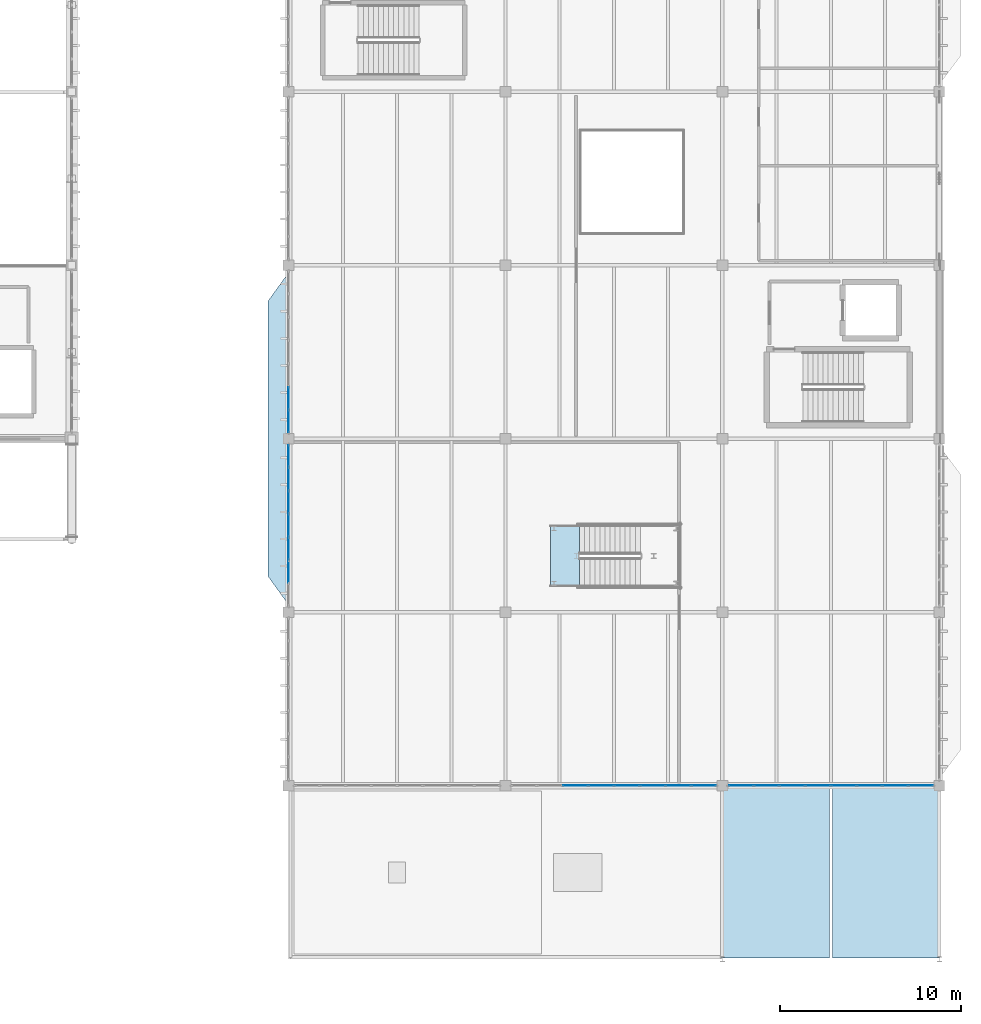
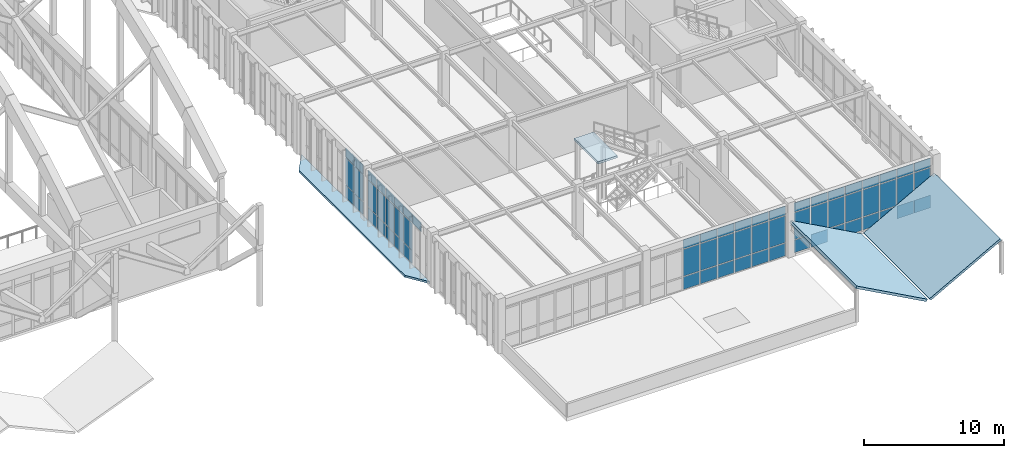
# One storey, part 200 of 236: 64 plates, 4 slabs, 5 elements without a shape of their own.
"""IFC4 building model written with IfcOpenShell, lengths in metres."""

from ifc_helpers import new_model, si_unit, direction, frame, origin, origin_2d, place, context, subcontext, project, spatial, polyline, rectangle, outline, extrude, material, layer, layer_set, type_object, element, aggregate, save


model = new_model("IFC4")

# Units and contexts
model_context = context("Model", 3, precision=1e-05, world=origin(), true_north=direction((0.0, 1.0)))
body_context = subcontext(model_context, "Body", "Model", "MODEL_VIEW")
ifc_project = project(units=[si_unit("LENGTHUNIT", "METRE"), si_unit("AREAUNIT", "SQUARE_METRE"), si_unit("VOLUMEUNIT", "CUBIC_METRE"), si_unit("PLANEANGLEUNIT", "RADIAN"), si_unit("MASSUNIT", "GRAM", prefix="KILO")], contexts=[model_context])

# Site, building, storey
site_placement = place(None, origin())
site = spatial("IfcSite", under=ifc_project, at=site_placement, CompositionType="ELEMENT")
building_placement = place(site_placement, origin())
building = spatial("IfcBuilding", under=site, at=building_placement, Name="Pandanus Reach Market Hall", CompositionType="ELEMENT")
storey_placement = place(building_placement, frame((0.0, 0.0, 5.39990234375)))
storey = spatial("IfcBuildingStorey", under=building, at=storey_placement, Name="L01", CompositionType="ELEMENT", Elevation=5.39990234375)

# Curtain wall, plates
ifc_material_1 = material(Name="Bronze anodised aluminium and low-E glass", Category="aluminium")
ifc_layer_1 = layer(ifc_material_1, 0.159912109375, Name="CW-27")
ifc_layer_set_1 = layer_set([ifc_layer_1], Name="Bronze anodised aluminium and low-E glass")
curtain_wall_type_1 = type_object("IfcCurtainWallType", Name="CW-27", PredefinedType="NOTDEFINED", material=ifc_layer_set_1)
curtain_wall_1_placement = place(storey_placement, origin())
curtain_wall_1 = element("IfcCurtainWall", 1, at=curtain_wall_1_placement, inside=storey, type_object=curtain_wall_type_1, Name="Glazed curtain wall CW-27 CW-0083", PredefinedType="NOTDEFINED")
ifc_material_2 = material(Name="Solar-control double glazing", Category="glass")
ifc_layer_2 = layer(ifc_material_2, 0.028076171875, Name="CW-P1")
ifc_layer_set_2 = layer_set([ifc_layer_2], Name="Solar-control double glazing")
plate_type = type_object("IfcPlateType", Name="CW-P1", PredefinedType="CURTAIN_PANEL", material=ifc_layer_set_2)
plate_1_placement = place(storey_placement, frame((159.862548828125, 9.60009765625, 0.065185546875), z_axis=(0.0, 0.0, 1.0), x_axis=(1.0, 0.0, 0.0)))
plate_1 = element("IfcPlate", 2, at=plate_1_placement, type_object=plate_type, Name="CW-27 panel 3.1", PredefinedType="CURTAIN_PANEL", context=body_context, shape_type="SweptSolid", body=[
    extrude(rectangle(XDim=1.360107421875, YDim=0.028076171875, at=origin_2d()), origin(), (0.0, 0.0, 1.0), 1.1025390625),
])
plate_2_placement = place(storey_placement, frame((159.862548828125, 9.60009765625, 1.232666015625), z_axis=(0.0, 0.0, 1.0), x_axis=(1.0, 0.0, 0.0)))
plate_2 = element("IfcPlate", 3, at=plate_2_placement, type_object=plate_type, Name="CW-27 panel 3.2", PredefinedType="CURTAIN_PANEL", context=body_context, shape_type="SweptSolid", body=[
    extrude(rectangle(XDim=1.360107421875, YDim=0.028076171875, at=origin_2d()), origin(), (0.0, 0.0, 1.0), 2.3349609375),
])
plate_3_placement = place(storey_placement, frame((159.862548828125, 9.60009765625, 3.6328125), z_axis=(0.0, 0.0, 1.0), x_axis=(1.0, 0.0, 0.0)))
plate_3 = element("IfcPlate", 4, at=plate_3_placement, type_object=plate_type, Name="CW-27 panel 3.3", PredefinedType="CURTAIN_PANEL", context=body_context, shape_type="SweptSolid", body=[
    extrude(rectangle(XDim=1.360107421875, YDim=0.028076171875, at=origin_2d()), origin(), (0.0, 0.0, 1.0), 0.802490234375),
])
plate_4_placement = place(storey_placement, frame((161.28759765625, 9.60009765625, 0.065185546875), z_axis=(0.0, 0.0, 1.0), x_axis=(1.0, 0.0, 0.0)))
plate_4 = element("IfcPlate", 5, at=plate_4_placement, type_object=plate_type, Name="CW-27 panel 4.1", PredefinedType="CURTAIN_PANEL", context=body_context, shape_type="SweptSolid", body=[
    extrude(rectangle(XDim=1.360107421875, YDim=0.028076171875, at=origin_2d()), origin(), (0.0, 0.0, 1.0), 1.1025390625),
])
plate_5_placement = place(storey_placement, frame((161.28759765625, 9.60009765625, 1.232666015625), z_axis=(0.0, 0.0, 1.0), x_axis=(1.0, 0.0, 0.0)))
plate_5 = element("IfcPlate", 6, at=plate_5_placement, type_object=plate_type, Name="CW-27 panel 4.2", PredefinedType="CURTAIN_PANEL", context=body_context, shape_type="SweptSolid", body=[
    extrude(rectangle(XDim=1.360107421875, YDim=0.028076171875, at=origin_2d()), origin(), (0.0, 0.0, 1.0), 2.3349609375),
])
plate_6_placement = place(storey_placement, frame((161.28759765625, 9.60009765625, 3.6328125), z_axis=(0.0, 0.0, 1.0), x_axis=(1.0, 0.0, 0.0)))
plate_6 = element("IfcPlate", 7, at=plate_6_placement, type_object=plate_type, Name="CW-27 panel 4.3", PredefinedType="CURTAIN_PANEL", context=body_context, shape_type="SweptSolid", body=[
    extrude(rectangle(XDim=1.360107421875, YDim=0.028076171875, at=origin_2d()), origin(), (0.0, 0.0, 1.0), 0.802490234375),
])
plate_7_placement = place(storey_placement, frame((162.71240234375, 9.60009765625, 0.065185546875), z_axis=(0.0, 0.0, 1.0), x_axis=(1.0, 0.0, 0.0)))
plate_7 = element("IfcPlate", 8, at=plate_7_placement, type_object=plate_type, Name="CW-27 panel 5.1", PredefinedType="CURTAIN_PANEL", context=body_context, shape_type="SweptSolid", body=[
    extrude(rectangle(XDim=1.360107421875, YDim=0.028076171875, at=origin_2d()), origin(), (0.0, 0.0, 1.0), 1.1025390625),
])
plate_8_placement = place(storey_placement, frame((162.71240234375, 9.60009765625, 1.232666015625), z_axis=(0.0, 0.0, 1.0), x_axis=(1.0, 0.0, 0.0)))
plate_8 = element("IfcPlate", 9, at=plate_8_placement, type_object=plate_type, Name="CW-27 panel 5.2", PredefinedType="CURTAIN_PANEL", context=body_context, shape_type="SweptSolid", body=[
    extrude(rectangle(XDim=1.360107421875, YDim=0.028076171875, at=origin_2d()), origin(), (0.0, 0.0, 1.0), 2.3349609375),
])
plate_9_placement = place(storey_placement, frame((162.71240234375, 9.60009765625, 3.6328125), z_axis=(0.0, 0.0, 1.0), x_axis=(1.0, 0.0, 0.0)))
plate_9 = element("IfcPlate", 10, at=plate_9_placement, type_object=plate_type, Name="CW-27 panel 5.3", PredefinedType="CURTAIN_PANEL", context=body_context, shape_type="SweptSolid", body=[
    extrude(rectangle(XDim=1.360107421875, YDim=0.028076171875, at=origin_2d()), origin(), (0.0, 0.0, 1.0), 0.802490234375),
])
plate_10_placement = place(storey_placement, frame((164.137451171875, 9.60009765625, 0.065185546875), z_axis=(0.0, 0.0, 1.0), x_axis=(1.0, 0.0, 0.0)))
plate_10 = element("IfcPlate", 11, at=plate_10_placement, type_object=plate_type, Name="CW-27 panel 6.1", PredefinedType="CURTAIN_PANEL", context=body_context, shape_type="SweptSolid", body=[
    extrude(rectangle(XDim=1.360107421875, YDim=0.028076171875, at=origin_2d()), origin(), (0.0, 0.0, 1.0), 1.1025390625),
])
plate_11_placement = place(storey_placement, frame((164.137451171875, 9.60009765625, 1.232666015625), z_axis=(0.0, 0.0, 1.0), x_axis=(1.0, 0.0, 0.0)))
plate_11 = element("IfcPlate", 12, at=plate_11_placement, type_object=plate_type, Name="CW-27 panel 6.2", PredefinedType="CURTAIN_PANEL", context=body_context, shape_type="SweptSolid", body=[
    extrude(rectangle(XDim=1.360107421875, YDim=0.028076171875, at=origin_2d()), origin(), (0.0, 0.0, 1.0), 2.3349609375),
])
plate_12_placement = place(storey_placement, frame((164.137451171875, 9.60009765625, 3.6328125), z_axis=(0.0, 0.0, 1.0), x_axis=(1.0, 0.0, 0.0)))
plate_12 = element("IfcPlate", 13, at=plate_12_placement, type_object=plate_type, Name="CW-27 panel 6.3", PredefinedType="CURTAIN_PANEL", context=body_context, shape_type="SweptSolid", body=[
    extrude(rectangle(XDim=1.360107421875, YDim=0.028076171875, at=origin_2d()), origin(), (0.0, 0.0, 1.0), 0.802490234375),
])
plate_13_placement = place(storey_placement, frame((165.5625, 9.60009765625, 0.065185546875), z_axis=(0.0, 0.0, 1.0), x_axis=(1.0, 0.0, 0.0)))
plate_13 = element("IfcPlate", 14, at=plate_13_placement, type_object=plate_type, Name="CW-27 panel 7.1", PredefinedType="CURTAIN_PANEL", context=body_context, shape_type="SweptSolid", body=[
    extrude(rectangle(XDim=1.360107421875, YDim=0.028076171875, at=origin_2d()), origin(), (0.0, 0.0, 1.0), 1.1025390625),
])
plate_14_placement = place(storey_placement, frame((165.5625, 9.60009765625, 1.232666015625), z_axis=(0.0, 0.0, 1.0), x_axis=(1.0, 0.0, 0.0)))
plate_14 = element("IfcPlate", 15, at=plate_14_placement, type_object=plate_type, Name="CW-27 panel 7.2", PredefinedType="CURTAIN_PANEL", context=body_context, shape_type="SweptSolid", body=[
    extrude(rectangle(XDim=1.360107421875, YDim=0.028076171875, at=origin_2d()), origin(), (0.0, 0.0, 1.0), 2.3349609375),
])
plate_15_placement = place(storey_placement, frame((165.5625, 9.60009765625, 3.6328125), z_axis=(0.0, 0.0, 1.0), x_axis=(1.0, 0.0, 0.0)))
plate_15 = element("IfcPlate", 16, at=plate_15_placement, type_object=plate_type, Name="CW-27 panel 7.3", PredefinedType="CURTAIN_PANEL", context=body_context, shape_type="SweptSolid", body=[
    extrude(rectangle(XDim=1.360107421875, YDim=0.028076171875, at=origin_2d()), origin(), (0.0, 0.0, 1.0), 0.802490234375),
])
plate_16_placement = place(storey_placement, frame((166.97119140625, 9.60009765625, 0.065185546875), z_axis=(0.0, 0.0, 1.0), x_axis=(1.0, 0.0, 0.0)))
plate_16 = element("IfcPlate", 17, at=plate_16_placement, type_object=plate_type, Name="CW-27 panel 8.1", PredefinedType="CURTAIN_PANEL", context=body_context, shape_type="SweptSolid", body=[
    extrude(rectangle(XDim=1.327392578125, YDim=0.028076171875, at=origin_2d()), origin(), (0.0, 0.0, 1.0), 1.1025390625),
])
plate_17_placement = place(storey_placement, frame((166.97119140625, 9.60009765625, 1.232666015625), z_axis=(0.0, 0.0, 1.0), x_axis=(1.0, 0.0, 0.0)))
plate_17 = element("IfcPlate", 18, at=plate_17_placement, type_object=plate_type, Name="CW-27 panel 8.2", PredefinedType="CURTAIN_PANEL", context=body_context, shape_type="SweptSolid", body=[
    extrude(rectangle(XDim=1.327392578125, YDim=0.028076171875, at=origin_2d()), origin(), (0.0, 0.0, 1.0), 2.3349609375),
])
plate_18_placement = place(storey_placement, frame((166.97119140625, 9.60009765625, 3.6328125), z_axis=(0.0, 0.0, 1.0), x_axis=(1.0, 0.0, 0.0)))
plate_18 = element("IfcPlate", 19, at=plate_18_placement, type_object=plate_type, Name="CW-27 panel 8.3", PredefinedType="CURTAIN_PANEL", context=body_context, shape_type="SweptSolid", body=[
    extrude(rectangle(XDim=1.327392578125, YDim=0.028076171875, at=origin_2d()), origin(), (0.0, 0.0, 1.0), 0.802490234375),
])
aggregate(curtain_wall_1, [plate_1, plate_2, plate_3, plate_4, plate_5, plate_6, plate_7, plate_8, plate_9, plate_10, plate_11, plate_12, plate_13, plate_14, plate_15, plate_16, plate_17, plate_18])

curtain_wall_2_placement = place(storey_placement, origin())
curtain_wall_2 = element("IfcCurtainWall", 20, at=curtain_wall_2_placement, inside=storey, type_object=curtain_wall_type_1, Name="Glazed curtain wall CW-27 CW-0084", PredefinedType="NOTDEFINED")
plate_19_placement = place(storey_placement, frame((169.02880859375, 9.60009765625, 0.065185546875), z_axis=(0.0, 0.0, 1.0), x_axis=(1.0, 0.0, 0.0)))
plate_19 = element("IfcPlate", 21, at=plate_19_placement, type_object=plate_type, Name="CW-27 panel 1.1", PredefinedType="CURTAIN_PANEL", context=body_context, shape_type="SweptSolid", body=[
    extrude(rectangle(XDim=1.327392578125, YDim=0.028076171875, at=origin_2d()), origin(), (0.0, 0.0, 1.0), 1.1025390625),
])
plate_20_placement = place(storey_placement, frame((169.02880859375, 9.60009765625, 1.232666015625), z_axis=(0.0, 0.0, 1.0), x_axis=(1.0, 0.0, 0.0)))
plate_20 = element("IfcPlate", 22, at=plate_20_placement, type_object=plate_type, Name="CW-27 panel 1.2", PredefinedType="CURTAIN_PANEL", context=body_context, shape_type="SweptSolid", body=[
    extrude(rectangle(XDim=1.327392578125, YDim=0.028076171875, at=origin_2d()), origin(), (0.0, 0.0, 1.0), 2.3349609375),
])
plate_21_placement = place(storey_placement, frame((169.02880859375, 9.60009765625, 3.6328125), z_axis=(0.0, 0.0, 1.0), x_axis=(1.0, 0.0, 0.0)))
plate_21 = element("IfcPlate", 23, at=plate_21_placement, type_object=plate_type, Name="CW-27 panel 1.3", PredefinedType="CURTAIN_PANEL", context=body_context, shape_type="SweptSolid", body=[
    extrude(rectangle(XDim=1.327392578125, YDim=0.028076171875, at=origin_2d()), origin(), (0.0, 0.0, 1.0), 0.802490234375),
])
plate_22_placement = place(storey_placement, frame((170.4375, 9.60009765625, 0.065185546875), z_axis=(0.0, 0.0, 1.0), x_axis=(1.0, 0.0, 0.0)))
plate_22 = element("IfcPlate", 24, at=plate_22_placement, type_object=plate_type, Name="CW-27 panel 2.1", PredefinedType="CURTAIN_PANEL", context=body_context, shape_type="SweptSolid", body=[
    extrude(rectangle(XDim=1.360107421875, YDim=0.028076171875, at=origin_2d()), origin(), (0.0, 0.0, 1.0), 1.1025390625),
])
plate_23_placement = place(storey_placement, frame((170.4375, 9.60009765625, 1.232666015625), z_axis=(0.0, 0.0, 1.0), x_axis=(1.0, 0.0, 0.0)))
plate_23 = element("IfcPlate", 25, at=plate_23_placement, type_object=plate_type, Name="CW-27 panel 2.2", PredefinedType="CURTAIN_PANEL", context=body_context, shape_type="SweptSolid", body=[
    extrude(rectangle(XDim=1.360107421875, YDim=0.028076171875, at=origin_2d()), origin(), (0.0, 0.0, 1.0), 2.3349609375),
])
plate_24_placement = place(storey_placement, frame((170.4375, 9.60009765625, 3.6328125), z_axis=(0.0, 0.0, 1.0), x_axis=(1.0, 0.0, 0.0)))
plate_24 = element("IfcPlate", 26, at=plate_24_placement, type_object=plate_type, Name="CW-27 panel 2.3", PredefinedType="CURTAIN_PANEL", context=body_context, shape_type="SweptSolid", body=[
    extrude(rectangle(XDim=1.360107421875, YDim=0.028076171875, at=origin_2d()), origin(), (0.0, 0.0, 1.0), 0.802490234375),
])
plate_25_placement = place(storey_placement, frame((171.862548828125, 9.60009765625, 0.065185546875), z_axis=(0.0, 0.0, 1.0), x_axis=(1.0, 0.0, 0.0)))
plate_25 = element("IfcPlate", 27, at=plate_25_placement, type_object=plate_type, Name="CW-27 panel 3.1", PredefinedType="CURTAIN_PANEL", context=body_context, shape_type="SweptSolid", body=[
    extrude(rectangle(XDim=1.360107421875, YDim=0.028076171875, at=origin_2d()), origin(), (0.0, 0.0, 1.0), 1.1025390625),
])
plate_26_placement = place(storey_placement, frame((171.862548828125, 9.60009765625, 1.232666015625), z_axis=(0.0, 0.0, 1.0), x_axis=(1.0, 0.0, 0.0)))
plate_26 = element("IfcPlate", 28, at=plate_26_placement, type_object=plate_type, Name="CW-27 panel 3.2", PredefinedType="CURTAIN_PANEL", context=body_context, shape_type="SweptSolid", body=[
    extrude(rectangle(XDim=1.360107421875, YDim=0.028076171875, at=origin_2d()), origin(), (0.0, 0.0, 1.0), 2.3349609375),
])
plate_27_placement = place(storey_placement, frame((171.862548828125, 9.60009765625, 3.6328125), z_axis=(0.0, 0.0, 1.0), x_axis=(1.0, 0.0, 0.0)))
plate_27 = element("IfcPlate", 29, at=plate_27_placement, type_object=plate_type, Name="CW-27 panel 3.3", PredefinedType="CURTAIN_PANEL", context=body_context, shape_type="SweptSolid", body=[
    extrude(rectangle(XDim=1.360107421875, YDim=0.028076171875, at=origin_2d()), origin(), (0.0, 0.0, 1.0), 0.802490234375),
])
plate_28_placement = place(storey_placement, frame((173.28759765625, 9.60009765625, 0.065185546875), z_axis=(0.0, 0.0, 1.0), x_axis=(1.0, 0.0, 0.0)))
plate_28 = element("IfcPlate", 30, at=plate_28_placement, type_object=plate_type, Name="CW-27 panel 4.1", PredefinedType="CURTAIN_PANEL", context=body_context, shape_type="SweptSolid", body=[
    extrude(rectangle(XDim=1.360107421875, YDim=0.028076171875, at=origin_2d()), origin(), (0.0, 0.0, 1.0), 1.1025390625),
])
plate_29_placement = place(storey_placement, frame((173.28759765625, 9.60009765625, 1.232666015625), z_axis=(0.0, 0.0, 1.0), x_axis=(1.0, 0.0, 0.0)))
plate_29 = element("IfcPlate", 31, at=plate_29_placement, type_object=plate_type, Name="CW-27 panel 4.2", PredefinedType="CURTAIN_PANEL", context=body_context, shape_type="SweptSolid", body=[
    extrude(rectangle(XDim=1.360107421875, YDim=0.028076171875, at=origin_2d()), origin(), (0.0, 0.0, 1.0), 2.3349609375),
])
plate_30_placement = place(storey_placement, frame((173.28759765625, 9.60009765625, 3.6328125), z_axis=(0.0, 0.0, 1.0), x_axis=(1.0, 0.0, 0.0)))
plate_30 = element("IfcPlate", 32, at=plate_30_placement, type_object=plate_type, Name="CW-27 panel 4.3", PredefinedType="CURTAIN_PANEL", context=body_context, shape_type="SweptSolid", body=[
    extrude(rectangle(XDim=1.360107421875, YDim=0.028076171875, at=origin_2d()), origin(), (0.0, 0.0, 1.0), 0.802490234375),
])
plate_31_placement = place(storey_placement, frame((174.71240234375, 9.60009765625, 0.065185546875), z_axis=(0.0, 0.0, 1.0), x_axis=(1.0, 0.0, 0.0)))
plate_31 = element("IfcPlate", 33, at=plate_31_placement, type_object=plate_type, Name="CW-27 panel 5.1", PredefinedType="CURTAIN_PANEL", context=body_context, shape_type="SweptSolid", body=[
    extrude(rectangle(XDim=1.360107421875, YDim=0.028076171875, at=origin_2d()), origin(), (0.0, 0.0, 1.0), 1.1025390625),
])
plate_32_placement = place(storey_placement, frame((174.71240234375, 9.60009765625, 1.232666015625), z_axis=(0.0, 0.0, 1.0), x_axis=(1.0, 0.0, 0.0)))
plate_32 = element("IfcPlate", 34, at=plate_32_placement, type_object=plate_type, Name="CW-27 panel 5.2", PredefinedType="CURTAIN_PANEL", context=body_context, shape_type="SweptSolid", body=[
    extrude(rectangle(XDim=1.360107421875, YDim=0.028076171875, at=origin_2d()), origin(), (0.0, 0.0, 1.0), 2.3349609375),
])
plate_33_placement = place(storey_placement, frame((174.71240234375, 9.60009765625, 3.6328125), z_axis=(0.0, 0.0, 1.0), x_axis=(1.0, 0.0, 0.0)))
plate_33 = element("IfcPlate", 35, at=plate_33_placement, type_object=plate_type, Name="CW-27 panel 5.3", PredefinedType="CURTAIN_PANEL", context=body_context, shape_type="SweptSolid", body=[
    extrude(rectangle(XDim=1.360107421875, YDim=0.028076171875, at=origin_2d()), origin(), (0.0, 0.0, 1.0), 0.802490234375),
])
plate_34_placement = place(storey_placement, frame((176.137451171875, 9.60009765625, 0.065185546875), z_axis=(0.0, 0.0, 1.0), x_axis=(1.0, 0.0, 0.0)))
plate_34 = element("IfcPlate", 36, at=plate_34_placement, type_object=plate_type, Name="CW-27 panel 6.1", PredefinedType="CURTAIN_PANEL", context=body_context, shape_type="SweptSolid", body=[
    extrude(rectangle(XDim=1.360107421875, YDim=0.028076171875, at=origin_2d()), origin(), (0.0, 0.0, 1.0), 1.1025390625),
])
plate_35_placement = place(storey_placement, frame((176.137451171875, 9.60009765625, 1.232666015625), z_axis=(0.0, 0.0, 1.0), x_axis=(1.0, 0.0, 0.0)))
plate_35 = element("IfcPlate", 37, at=plate_35_placement, type_object=plate_type, Name="CW-27 panel 6.2", PredefinedType="CURTAIN_PANEL", context=body_context, shape_type="SweptSolid", body=[
    extrude(rectangle(XDim=1.360107421875, YDim=0.028076171875, at=origin_2d()), origin(), (0.0, 0.0, 1.0), 2.3349609375),
])
plate_36_placement = place(storey_placement, frame((176.137451171875, 9.60009765625, 3.6328125), z_axis=(0.0, 0.0, 1.0), x_axis=(1.0, 0.0, 0.0)))
plate_36 = element("IfcPlate", 38, at=plate_36_placement, type_object=plate_type, Name="CW-27 panel 6.3", PredefinedType="CURTAIN_PANEL", context=body_context, shape_type="SweptSolid", body=[
    extrude(rectangle(XDim=1.360107421875, YDim=0.028076171875, at=origin_2d()), origin(), (0.0, 0.0, 1.0), 0.802490234375),
])
plate_37_placement = place(storey_placement, frame((177.5625, 9.60009765625, 0.065185546875), z_axis=(0.0, 0.0, 1.0), x_axis=(1.0, 0.0, 0.0)))
plate_37 = element("IfcPlate", 39, at=plate_37_placement, type_object=plate_type, Name="CW-27 panel 7.1", PredefinedType="CURTAIN_PANEL", context=body_context, shape_type="SweptSolid", body=[
    extrude(rectangle(XDim=1.360107421875, YDim=0.028076171875, at=origin_2d()), origin(), (0.0, 0.0, 1.0), 1.1025390625),
])
plate_38_placement = place(storey_placement, frame((177.5625, 9.60009765625, 1.232666015625), z_axis=(0.0, 0.0, 1.0), x_axis=(1.0, 0.0, 0.0)))
plate_38 = element("IfcPlate", 40, at=plate_38_placement, type_object=plate_type, Name="CW-27 panel 7.2", PredefinedType="CURTAIN_PANEL", context=body_context, shape_type="SweptSolid", body=[
    extrude(rectangle(XDim=1.360107421875, YDim=0.028076171875, at=origin_2d()), origin(), (0.0, 0.0, 1.0), 2.3349609375),
])
plate_39_placement = place(storey_placement, frame((177.5625, 9.60009765625, 3.6328125), z_axis=(0.0, 0.0, 1.0), x_axis=(1.0, 0.0, 0.0)))
plate_39 = element("IfcPlate", 41, at=plate_39_placement, type_object=plate_type, Name="CW-27 panel 7.3", PredefinedType="CURTAIN_PANEL", context=body_context, shape_type="SweptSolid", body=[
    extrude(rectangle(XDim=1.360107421875, YDim=0.028076171875, at=origin_2d()), origin(), (0.0, 0.0, 1.0), 0.802490234375),
])
plate_40_placement = place(storey_placement, frame((178.97119140625, 9.60009765625, 0.065185546875), z_axis=(0.0, 0.0, 1.0), x_axis=(1.0, 0.0, 0.0)))
plate_40 = element("IfcPlate", 42, at=plate_40_placement, type_object=plate_type, Name="CW-27 panel 8.1", PredefinedType="CURTAIN_PANEL", context=body_context, shape_type="SweptSolid", body=[
    extrude(rectangle(XDim=1.327392578125, YDim=0.028076171875, at=origin_2d()), origin(), (0.0, 0.0, 1.0), 1.1025390625),
])
plate_41_placement = place(storey_placement, frame((178.97119140625, 9.60009765625, 1.232666015625), z_axis=(0.0, 0.0, 1.0), x_axis=(1.0, 0.0, 0.0)))
plate_41 = element("IfcPlate", 43, at=plate_41_placement, type_object=plate_type, Name="CW-27 panel 8.2", PredefinedType="CURTAIN_PANEL", context=body_context, shape_type="SweptSolid", body=[
    extrude(rectangle(XDim=1.327392578125, YDim=0.028076171875, at=origin_2d()), origin(), (0.0, 0.0, 1.0), 2.3349609375),
])
plate_42_placement = place(storey_placement, frame((178.97119140625, 9.60009765625, 3.6328125), z_axis=(0.0, 0.0, 1.0), x_axis=(1.0, 0.0, 0.0)))
plate_42 = element("IfcPlate", 44, at=plate_42_placement, type_object=plate_type, Name="CW-27 panel 8.3", PredefinedType="CURTAIN_PANEL", context=body_context, shape_type="SweptSolid", body=[
    extrude(rectangle(XDim=1.327392578125, YDim=0.028076171875, at=origin_2d()), origin(), (0.0, 0.0, 1.0), 0.802490234375),
])
aggregate(curtain_wall_2, [plate_19, plate_20, plate_21, plate_22, plate_23, plate_24, plate_25, plate_26, plate_27, plate_28, plate_29, plate_30, plate_31, plate_32, plate_33, plate_34, plate_35, plate_36, plate_37, plate_38, plate_39, plate_40, plate_41, plate_42])

ifc_layer_3 = layer(ifc_material_1, 0.159912109375, Name="CW-29")
ifc_layer_set_3 = layer_set([ifc_layer_3], Name="Bronze anodised aluminium and low-E glass")
curtain_wall_type_2 = type_object("IfcCurtainWallType", Name="CW-29", PredefinedType="NOTDEFINED", material=ifc_layer_set_3)
curtain_wall_3_placement = place(storey_placement, origin())
curtain_wall_3 = element("IfcCurtainWall", 45, at=curtain_wall_3_placement, inside=storey, type_object=curtain_wall_type_2, Name="Glazed curtain wall CW-29 CW-0092", PredefinedType="NOTDEFINED")
plate_43_placement = place(storey_placement, frame((144.0, 21.428466796875, 3.6328125), z_axis=(0.0, 0.0, 1.0), x_axis=(0.0, 1.0, 0.0)))
plate_43 = element("IfcPlate", 46, at=plate_43_placement, type_object=plate_type, Name="CW-29 panel 2.3", PredefinedType="CURTAIN_PANEL", context=body_context, shape_type="SweptSolid", body=[
    extrude(rectangle(XDim=1.220703125, YDim=0.028076171875, at=origin_2d()), origin(), (0.0, 0.0, 1.0), 0.802490234375),
])
plate_44_placement = place(storey_placement, frame((144.0, 22.71435546875, 0.065185546875), z_axis=(0.0, 0.0, 1.0), x_axis=(0.0, 1.0, 0.0)))
plate_44 = element("IfcPlate", 47, at=plate_44_placement, type_object=plate_type, Name="CW-29 panel 3.1", PredefinedType="CURTAIN_PANEL", context=body_context, shape_type="SweptSolid", body=[
    extrude(rectangle(XDim=1.220703125, YDim=0.028076171875, at=origin_2d()), origin(), (0.0, 0.0, 1.0), 1.1025390625),
])
plate_45_placement = place(storey_placement, frame((144.0, 22.71435546875, 1.232666015625), z_axis=(0.0, 0.0, 1.0), x_axis=(0.0, 1.0, 0.0)))
plate_45 = element("IfcPlate", 48, at=plate_45_placement, type_object=plate_type, Name="CW-29 panel 3.2", PredefinedType="CURTAIN_PANEL", context=body_context, shape_type="SweptSolid", body=[
    extrude(rectangle(XDim=1.220703125, YDim=0.028076171875, at=origin_2d()), origin(), (0.0, 0.0, 1.0), 2.3349609375),
])
plate_46_placement = place(storey_placement, frame((144.0, 22.71435546875, 3.6328125), z_axis=(0.0, 0.0, 1.0), x_axis=(0.0, 1.0, 0.0)))
plate_46 = element("IfcPlate", 49, at=plate_46_placement, type_object=plate_type, Name="CW-29 panel 3.3", PredefinedType="CURTAIN_PANEL", context=body_context, shape_type="SweptSolid", body=[
    extrude(rectangle(XDim=1.220703125, YDim=0.028076171875, at=origin_2d()), origin(), (0.0, 0.0, 1.0), 0.802490234375),
])
plate_47_placement = place(storey_placement, frame((144.0, 24.0, 0.065185546875), z_axis=(0.0, 0.0, 1.0), x_axis=(0.0, 1.0, 0.0)))
plate_47 = element("IfcPlate", 50, at=plate_47_placement, type_object=plate_type, Name="CW-29 panel 4.1", PredefinedType="CURTAIN_PANEL", context=body_context, shape_type="SweptSolid", body=[
    extrude(rectangle(XDim=1.220703125, YDim=0.028076171875, at=origin_2d()), origin(), (0.0, 0.0, 1.0), 1.1025390625),
])
plate_48_placement = place(storey_placement, frame((144.0, 24.0, 1.232666015625), z_axis=(0.0, 0.0, 1.0), x_axis=(0.0, 1.0, 0.0)))
plate_48 = element("IfcPlate", 51, at=plate_48_placement, type_object=plate_type, Name="CW-29 panel 4.2", PredefinedType="CURTAIN_PANEL", context=body_context, shape_type="SweptSolid", body=[
    extrude(rectangle(XDim=1.220703125, YDim=0.028076171875, at=origin_2d()), origin(), (0.0, 0.0, 1.0), 2.3349609375),
])
plate_49_placement = place(storey_placement, frame((144.0, 24.0, 3.6328125), z_axis=(0.0, 0.0, 1.0), x_axis=(0.0, 1.0, 0.0)))
plate_49 = element("IfcPlate", 52, at=plate_49_placement, type_object=plate_type, Name="CW-29 panel 4.3", PredefinedType="CURTAIN_PANEL", context=body_context, shape_type="SweptSolid", body=[
    extrude(rectangle(XDim=1.220703125, YDim=0.028076171875, at=origin_2d()), origin(), (0.0, 0.0, 1.0), 0.802490234375),
])
plate_50_placement = place(storey_placement, frame((144.0, 25.28564453125, 0.065185546875), z_axis=(0.0, 0.0, 1.0), x_axis=(0.0, 1.0, 0.0)))
plate_50 = element("IfcPlate", 53, at=plate_50_placement, type_object=plate_type, Name="CW-29 panel 5.1", PredefinedType="CURTAIN_PANEL", context=body_context, shape_type="SweptSolid", body=[
    extrude(rectangle(XDim=1.220703125, YDim=0.028076171875, at=origin_2d()), origin(), (0.0, 0.0, 1.0), 1.1025390625),
])
plate_51_placement = place(storey_placement, frame((144.0, 25.28564453125, 1.232666015625), z_axis=(0.0, 0.0, 1.0), x_axis=(0.0, 1.0, 0.0)))
plate_51 = element("IfcPlate", 54, at=plate_51_placement, type_object=plate_type, Name="CW-29 panel 5.2", PredefinedType="CURTAIN_PANEL", context=body_context, shape_type="SweptSolid", body=[
    extrude(rectangle(XDim=1.220703125, YDim=0.028076171875, at=origin_2d()), origin(), (0.0, 0.0, 1.0), 2.3349609375),
])
plate_52_placement = place(storey_placement, frame((144.0, 25.28564453125, 3.6328125), z_axis=(0.0, 0.0, 1.0), x_axis=(0.0, 1.0, 0.0)))
plate_52 = element("IfcPlate", 55, at=plate_52_placement, type_object=plate_type, Name="CW-29 panel 5.3", PredefinedType="CURTAIN_PANEL", context=body_context, shape_type="SweptSolid", body=[
    extrude(rectangle(XDim=1.220703125, YDim=0.028076171875, at=origin_2d()), origin(), (0.0, 0.0, 1.0), 0.802490234375),
])
plate_53_placement = place(storey_placement, frame((144.0, 26.571533203125, 0.065185546875), z_axis=(0.0, 0.0, 1.0), x_axis=(0.0, 1.0, 0.0)))
plate_53 = element("IfcPlate", 56, at=plate_53_placement, type_object=plate_type, Name="CW-29 panel 6.1", PredefinedType="CURTAIN_PANEL", context=body_context, shape_type="SweptSolid", body=[
    extrude(rectangle(XDim=1.220703125, YDim=0.028076171875, at=origin_2d()), origin(), (0.0, 0.0, 1.0), 1.1025390625),
])
plate_54_placement = place(storey_placement, frame((144.0, 26.571533203125, 1.232666015625), z_axis=(0.0, 0.0, 1.0), x_axis=(0.0, 1.0, 0.0)))
plate_54 = element("IfcPlate", 57, at=plate_54_placement, type_object=plate_type, Name="CW-29 panel 6.2", PredefinedType="CURTAIN_PANEL", context=body_context, shape_type="SweptSolid", body=[
    extrude(rectangle(XDim=1.220703125, YDim=0.028076171875, at=origin_2d()), origin(), (0.0, 0.0, 1.0), 2.3349609375),
])
plate_55_placement = place(storey_placement, frame((144.0, 26.571533203125, 3.6328125), z_axis=(0.0, 0.0, 1.0), x_axis=(0.0, 1.0, 0.0)))
plate_55 = element("IfcPlate", 58, at=plate_55_placement, type_object=plate_type, Name="CW-29 panel 6.3", PredefinedType="CURTAIN_PANEL", context=body_context, shape_type="SweptSolid", body=[
    extrude(rectangle(XDim=1.220703125, YDim=0.028076171875, at=origin_2d()), origin(), (0.0, 0.0, 1.0), 0.802490234375),
])
plate_56_placement = place(storey_placement, frame((144.0, 27.8408203125, 0.065185546875), z_axis=(0.0, 0.0, 1.0), x_axis=(0.0, 1.0, 0.0)))
plate_56 = element("IfcPlate", 59, at=plate_56_placement, type_object=plate_type, Name="CW-29 panel 7.1", PredefinedType="CURTAIN_PANEL", context=body_context, shape_type="SweptSolid", body=[
    extrude(rectangle(XDim=1.188232421875, YDim=0.028076171875, at=origin_2d()), origin(), (0.0, 0.0, 1.0), 1.1025390625),
])
plate_57_placement = place(storey_placement, frame((144.0, 27.8408203125, 1.232666015625), z_axis=(0.0, 0.0, 1.0), x_axis=(0.0, 1.0, 0.0)))
plate_57 = element("IfcPlate", 60, at=plate_57_placement, type_object=plate_type, Name="CW-29 panel 7.2", PredefinedType="CURTAIN_PANEL", context=body_context, shape_type="SweptSolid", body=[
    extrude(rectangle(XDim=1.188232421875, YDim=0.028076171875, at=origin_2d()), origin(), (0.0, 0.0, 1.0), 2.3349609375),
])
plate_58_placement = place(storey_placement, frame((144.0, 27.8408203125, 3.6328125), z_axis=(0.0, 0.0, 1.0), x_axis=(0.0, 1.0, 0.0)))
plate_58 = element("IfcPlate", 61, at=plate_58_placement, type_object=plate_type, Name="CW-29 panel 7.3", PredefinedType="CURTAIN_PANEL", context=body_context, shape_type="SweptSolid", body=[
    extrude(rectangle(XDim=1.188232421875, YDim=0.028076171875, at=origin_2d()), origin(), (0.0, 0.0, 1.0), 0.802490234375),
])
aggregate(curtain_wall_3, [plate_43, plate_44, plate_45, plate_46, plate_47, plate_48, plate_49, plate_50, plate_51, plate_52, plate_53, plate_54, plate_55, plate_56, plate_57, plate_58])

curtain_wall_4_placement = place(storey_placement, origin())
curtain_wall_4 = element("IfcCurtainWall", 62, at=curtain_wall_4_placement, inside=storey, type_object=curtain_wall_type_2, Name="Glazed curtain wall CW-29 CW-0093", PredefinedType="NOTDEFINED")
plate_59_placement = place(storey_placement, frame((144.0, 29.759033203125, 0.065185546875), z_axis=(0.0, 0.0, 1.0), x_axis=(0.0, 1.0, 0.0)))
plate_59 = element("IfcPlate", 63, at=plate_59_placement, type_object=plate_type, Name="CW-29 panel 1.1", PredefinedType="CURTAIN_PANEL", context=body_context, shape_type="SweptSolid", body=[
    extrude(rectangle(XDim=1.188232421875, YDim=0.028076171875, at=origin_2d()), origin(), (0.0, 0.0, 1.0), 1.1025390625),
])
plate_60_placement = place(storey_placement, frame((144.0, 29.759033203125, 1.232666015625), z_axis=(0.0, 0.0, 1.0), x_axis=(0.0, 1.0, 0.0)))
plate_60 = element("IfcPlate", 64, at=plate_60_placement, type_object=plate_type, Name="CW-29 panel 1.2", PredefinedType="CURTAIN_PANEL", context=body_context, shape_type="SweptSolid", body=[
    extrude(rectangle(XDim=1.188232421875, YDim=0.028076171875, at=origin_2d()), origin(), (0.0, 0.0, 1.0), 2.3349609375),
])
plate_61_placement = place(storey_placement, frame((144.0, 29.759033203125, 3.6328125), z_axis=(0.0, 0.0, 1.0), x_axis=(0.0, 1.0, 0.0)))
plate_61 = element("IfcPlate", 65, at=plate_61_placement, type_object=plate_type, Name="CW-29 panel 1.3", PredefinedType="CURTAIN_PANEL", context=body_context, shape_type="SweptSolid", body=[
    extrude(rectangle(XDim=1.188232421875, YDim=0.028076171875, at=origin_2d()), origin(), (0.0, 0.0, 1.0), 0.802490234375),
])
plate_62_placement = place(storey_placement, frame((144.0, 31.028564453125, 0.065185546875), z_axis=(0.0, 0.0, 1.0), x_axis=(0.0, 1.0, 0.0)))
plate_62 = element("IfcPlate", 66, at=plate_62_placement, type_object=plate_type, Name="CW-29 panel 2.1", PredefinedType="CURTAIN_PANEL", context=body_context, shape_type="SweptSolid", body=[
    extrude(rectangle(XDim=1.220703125, YDim=0.028076171875, at=origin_2d()), origin(), (0.0, 0.0, 1.0), 1.1025390625),
])
plate_63_placement = place(storey_placement, frame((144.0, 31.028564453125, 1.232666015625), z_axis=(0.0, 0.0, 1.0), x_axis=(0.0, 1.0, 0.0)))
plate_63 = element("IfcPlate", 67, at=plate_63_placement, type_object=plate_type, Name="CW-29 panel 2.2", PredefinedType="CURTAIN_PANEL", context=body_context, shape_type="SweptSolid", body=[
    extrude(rectangle(XDim=1.220703125, YDim=0.028076171875, at=origin_2d()), origin(), (0.0, 0.0, 1.0), 2.3349609375),
])
plate_64_placement = place(storey_placement, frame((144.0, 31.028564453125, 3.6328125), z_axis=(0.0, 0.0, 1.0), x_axis=(0.0, 1.0, 0.0)))
plate_64 = element("IfcPlate", 68, at=plate_64_placement, type_object=plate_type, Name="CW-29 panel 2.3", PredefinedType="CURTAIN_PANEL", context=body_context, shape_type="SweptSolid", body=[
    extrude(rectangle(XDim=1.220703125, YDim=0.028076171875, at=origin_2d()), origin(), (0.0, 0.0, 1.0), 0.802490234375),
])
aggregate(curtain_wall_4, [plate_59, plate_60, plate_61, plate_62, plate_63, plate_64])

# Slabs
ifc_material_3 = material(Name="Concrete N50 (50 MPa)", Category="concrete")
ifc_layer_4 = layer(ifc_material_3, 0.205078125, Name="RF-BFY-205")
ifc_layer_set_4 = layer_set([ifc_layer_4], Name="Concrete N50 (50 MPa)")
slab_type_1 = type_object("IfcSlabType", Name="RF-BFY-205", PredefinedType="ROOF", material=ifc_layer_set_4)
for number, where, z_axis, x_axis, name in (
    (69, (168.06005859375, 0.06005859375, 3.050048828125), (0.480428398091, 0.0, 0.877033952768), (0.877033952768, 0.0, -0.480428398091), "Boulevard civic foyer sculpted portal shell W"),
    (70, (174.080078125, 0.06005859375, -0.159912109375), (-0.480428398091, 0.0, 0.877033952768), (0.877033952768, 0.0, 0.480428398091), "Boulevard civic foyer sculpted portal shell E"),
):
    element("IfcSlab", number, at=place(storey_placement, frame(where, z_axis=z_axis, x_axis=x_axis)), inside=storey, type_object=slab_type_1, Name=name, PredefinedType="ROOF", context=body_context, shape_type="SweptSolid", body=[
        extrude(outline(polyline([(0.0, 0.0), (6.681455447372069, 0.0), (6.681455447372069, 9.47998046875), (0.0, 9.47998046875), (0.0, 0.0)])), origin(), (0.0, 0.0, -1.0), 0.205078125),
    ])
ifc_layer_5 = layer(ifc_material_3, 0.179931640625, Name="RF-CNP-180")
ifc_layer_set_5 = layer_set([ifc_layer_5], Name="Concrete N50 (50 MPa)")
slab_type_2 = type_object("IfcSlabType", Name="RF-CNP-180", PredefinedType="ROOF", material=ifc_layer_set_5)
slab_1_placement = place(storey_placement, frame((0.0, 0.0, -0.179931640625)))
element("IfcSlab", 71, at=slab_1_placement, inside=storey, type_object=slab_type_2, Name="Sculpted concrete brise-soleil hood 18", PredefinedType="ROOF", context=body_context, shape_type="SweptSolid", body=[
    extrude(outline(polyline([(144.0, 19.60009765625), (144.0, 38.0), (142.85009765625, 36.39990234375), (142.85009765625, 21.199951171875), (144.0, 19.60009765625)])), origin(), (0.0, 0.0, 1.0), 0.179931640625),
])

# Stair, slab
ifc_material_4 = material(Name="Concrete N40 (40 MPa)", Category="concrete")
stair_type = type_object("IfcStairType", Name="STR-10", PredefinedType="HALF_TURN_STAIR", material=ifc_material_4)
stair_placement = place(storey_placement, origin())
stair = element("IfcStair", 72, at=stair_placement, inside=storey, type_object=stair_type, Name="Stair ST-11 L01", PredefinedType="HALF_TURN_STAIR")
ifc_layer_6 = layer(ifc_material_4, 0.199951171875, Name="SL-LND-200")
ifc_layer_set_6 = layer_set([ifc_layer_6], Name="Concrete N40 (40 MPa)")
slab_type_3 = type_object("IfcSlabType", Name="SL-LND-200", PredefinedType="LANDING", material=ifc_layer_set_6)
slab_2_placement = place(storey_placement, frame((0.0, 0.0, 4.60009765625)))
slab_2 = element("IfcSlab", 73, at=slab_2_placement, type_object=slab_type_3, Name="STR-10 landing 2", PredefinedType="LANDING", context=body_context, shape_type="SweptSolid", body=[
    extrude(outline(polyline([(158.5, 20.60009765625), (160.10009765625, 20.60009765625), (160.10009765625, 24.02001953125), (158.5, 24.02001953125), (158.5, 20.60009765625)])), origin(), (0.0, 0.0, 1.0), 0.199951171875),
])
aggregate(stair, [slab_2])

save(model, "model.ifc")
